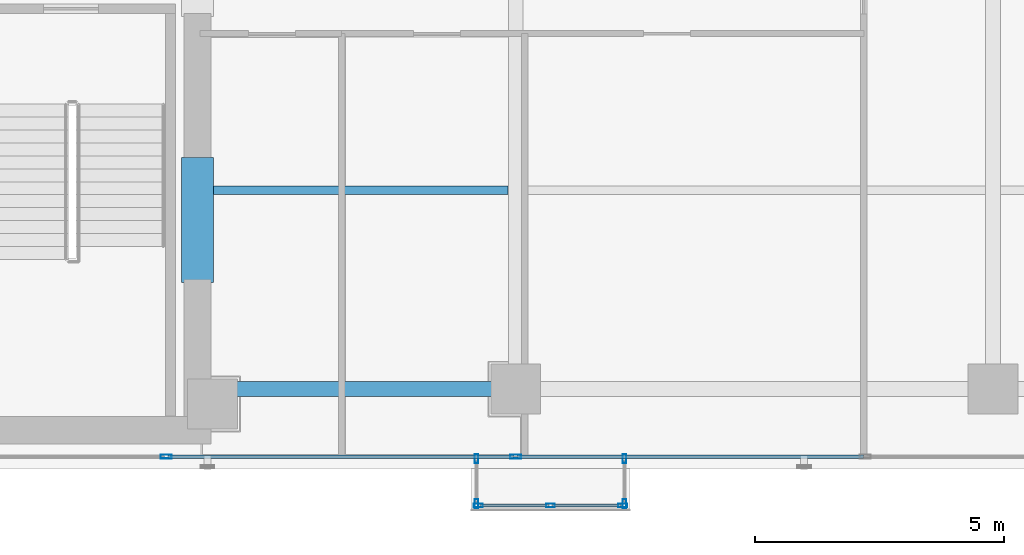
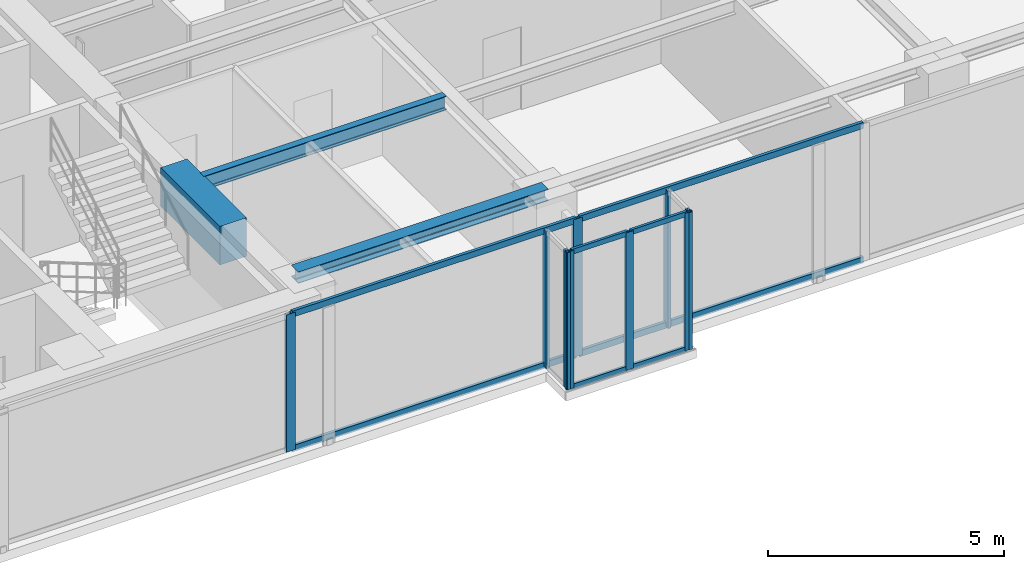
# One storey, part 4 of 23: 17 members, 3 beams, 4 elements without a shape of their own.
"""IFC4 building model written with IfcOpenShell, lengths in metres."""

from ifc_helpers import new_model, si_unit, direction, frame, origin, origin_with_axes, origin_2d, place, context, subcontext, project, spatial, rectangle, hollow_rectangle, i_section, extrude, source, transform, mapped, material, layer, layer_set, material_profile, profile_set, type_object, element, aggregate, save


model = new_model("IFC4")

# Units and contexts
model_context = context("Model", 3, precision=1e-05, world=origin(), true_north=direction((0.0, 1.0)))
body_context = subcontext(model_context, "Body", "Model", "MODEL_VIEW")
ifc_project = project(units=[si_unit("LENGTHUNIT", "METRE"), si_unit("AREAUNIT", "SQUARE_METRE"), si_unit("VOLUMEUNIT", "CUBIC_METRE"), si_unit("PLANEANGLEUNIT", "RADIAN"), si_unit("MASSUNIT", "GRAM", prefix="KILO")], contexts=[model_context])

# Site, building, storey
site_placement = place(None, origin())
site = spatial("IfcSite", under=ifc_project, at=site_placement, CompositionType="ELEMENT")
building_placement = place(site_placement, origin())
building = spatial("IfcBuilding", under=site, at=building_placement, Name="Kolvaren Waterfront Exchange", CompositionType="ELEMENT")
storey_placement = place(building_placement, frame((0.0, 0.0, 231.10009765625)))
storey = spatial("IfcBuildingStorey", under=building, at=storey_placement, Name="L59", CompositionType="ELEMENT", Elevation=231.10009765625)

# Beams
ifc_material_1 = material(Name="Steel S355", Category="steel")
ifc_material_profile_1 = material_profile(ifc_material_1, i_section(OverallWidth=0.300048828125, OverallDepth=0.300048828125, WebThickness=0.010986328125, FlangeThickness=0.01904296875, FilletRadius=0.027099609375, at=origin_2d()), Name="HEB300")
ifc_profile_set_1 = profile_set([ifc_material_profile_1], Name="Steel S355")
beam_type_1 = type_object("IfcBeamType", Name="STR-BM-HEB300", PredefinedType="SPANDREL", material=ifc_profile_set_1)
beam_1_placement = place(storey_placement, frame((21.074951171875, 5.199951171875, 3.409912109375), z_axis=(1.0, 0.0, 0.0), x_axis=(0.0, 1.0, 0.0)))
element("IfcBeam", 1, at=beam_1_placement, inside=storey, type_object=beam_type_1, Name="L59 east-arm spandrel S1", PredefinedType="SPANDREL", context=body_context, shape_type="SweptSolid", body=[
    extrude(i_section(OverallWidth=0.300048828125, OverallDepth=0.300048828125, WebThickness=0.010986328125, FlangeThickness=0.01904296875, FilletRadius=0.027099609375, at=origin_2d()), origin(), (0.0, 0.0, 1.0), 6.125),
])
ifc_material_profile_2 = material_profile(ifc_material_1, i_section(OverallWidth=0.169921875, OverallDepth=0.360107421875, WebThickness=0.008056640625, FlangeThickness=0.0126953125, FilletRadius=0.01806640625, at=origin_2d()), Name="IPE360")
ifc_profile_set_2 = profile_set([ifc_material_profile_2], Name="Steel S355")
beam_type_2 = type_object("IfcBeamType", Name="STR-BM-IPE360", PredefinedType="JOIST", material=ifc_profile_set_2)
beam_2_placement = place(storey_placement, frame((21.10009765625, 9.199951171875, 3.3798828125), z_axis=(1.0, 0.0, 0.0), x_axis=(0.0, 1.0, 0.0)))
element("IfcBeam", 2, at=beam_2_placement, inside=storey, type_object=beam_type_2, Name="L59 east-arm composite joist 1B", PredefinedType="JOIST", context=body_context, shape_type="SweptSolid", body=[
    extrude(i_section(OverallWidth=0.169921875, OverallDepth=0.360107421875, WebThickness=0.008056640625, FlangeThickness=0.0126953125, FilletRadius=0.01806640625, at=origin_2d()), origin(), (0.0, 0.0, 1.0), 5.947998046875),
])
ifc_material_2 = material(Name="Concrete C60/75", Category="concrete")
ifc_material_profile_3 = material_profile(ifc_material_2, rectangle(XDim=0.64990234375, YDim=1.0, at=origin_2d()), Name="RC-CB-1000x650")
ifc_profile_set_3 = profile_set([ifc_material_profile_3], Name="Concrete C60/75")
beam_type_3 = type_object("IfcBeamType", Name="STR-CB-1000", PredefinedType="SPANDREL", material=ifc_profile_set_3)
beam_3_placement = place(storey_placement, frame((20.800048828125, 7.340087890625, 3.059814453125), z_axis=(0.0, 1.0, 0.0), x_axis=(-1.0, 0.0, 0.0)))
element("IfcBeam", 3, at=beam_3_placement, inside=storey, type_object=beam_type_3, Name="L59 core coupling beam 1", PredefinedType="SPANDREL", context=body_context, shape_type="SweptSolid", body=[
    extrude(rectangle(XDim=0.64990234375, YDim=1.0, at=origin_2d()), origin(), (0.0, 0.0, 1.0), 2.52001953125),
])

# Curtain wall, members
ifc_material_3 = material(Name="Anodised bronze aluminium 6063-T6", Category="aluminium")
ifc_layer_1 = layer(ifc_material_3, 0.219970703125, Name="Anodised bronze aluminium 6063-T6")
ifc_layer_set_1 = layer_set([ifc_layer_1], Name="Anodised bronze aluminium 6063-T6")
curtain_wall_type_1 = type_object("IfcCurtainWallType", Name="ARC-CW-SYS3", PredefinedType="USERDEFINED", material=ifc_layer_set_1)
curtain_wall_1_placement = place(storey_placement, origin())
curtain_wall_1 = element("IfcCurtainWall", 4, at=curtain_wall_1_placement, inside=storey, type_object=curtain_wall_type_1, Name="L59 stick curtain wall CW3 (CW-L59-BOX)", ObjectType="STICK CURTAIN WALL", PredefinedType="USERDEFINED")
ifc_material_profile_4 = material_profile(ifc_material_3, hollow_rectangle(XDim=0.06494140625, YDim=0.1298828125, WallThickness=0.00390625, at=origin_2d()), Name="ALU-TRN-130x65x4")
ifc_profile_set_4 = profile_set([ifc_material_profile_4], Name="Anodised bronze aluminium 6063-T6")
member_type_1 = type_object("IfcMemberType", Name="ARC-CWT-130", PredefinedType="USERDEFINED", material=ifc_profile_set_4)
shared_shape_1 = source(origin_with_axes(), body_context, "Body", "SweptSolid", [
    extrude(hollow_rectangle(XDim=0.06494140625, YDim=0.1298828125, WallThickness=0.00390625, at=origin_2d()), origin(), (0.0, 0.0, 1.0), 1.37744140625),
])
member_1_placement = place(storey_placement, frame((26.485107421875, 2.860107421875, 0.032470703125), z_axis=(1.0, 0.0, 0.0), x_axis=(0.0, 1.0, 0.0)))
member_1 = element("IfcMember", 5, at=member_1_placement, type_object=member_type_1, Name="CW3 transom 1.1", ObjectType="TRANSOM", PredefinedType="USERDEFINED", context=body_context, shape_type="MappedRepresentation", body=[
    mapped(shared_shape_1, transform((0.0, 0.0, 0.0), x_axis=(1.0, 0.0, 0.0), y_axis=(0.0, 1.0, 0.0), z_axis=(0.0, 0.0, 1.0), scale=1.0)),
])
member_2_placement = place(storey_placement, frame((26.485107421875, 2.860107421875, 3.52734375), z_axis=(1.0, 0.0, 0.0), x_axis=(0.0, 1.0, 0.0)))
member_2 = element("IfcMember", 6, at=member_2_placement, type_object=member_type_1, Name="CW3 transom 1.2", ObjectType="TRANSOM", PredefinedType="USERDEFINED", context=body_context, shape_type="MappedRepresentation", body=[
    mapped(shared_shape_1, transform((0.0, 0.0, 0.0), x_axis=(1.0, 0.0, 0.0), y_axis=(0.0, 1.0, 0.0), z_axis=(0.0, 0.0, 1.0), scale=1.0)),
])
member_3_placement = place(storey_placement, frame((27.9375, 2.860107421875, 0.032470703125), z_axis=(1.0, 0.0, 0.0), x_axis=(0.0, 1.0, 0.0)))
member_3 = element("IfcMember", 7, at=member_3_placement, type_object=member_type_1, Name="CW3 transom 2.1", ObjectType="TRANSOM", PredefinedType="USERDEFINED", context=body_context, shape_type="MappedRepresentation", body=[
    mapped(shared_shape_1, transform((0.0, 0.0, 0.0), x_axis=(1.0, 0.0, 0.0), y_axis=(0.0, 1.0, 0.0), z_axis=(0.0, 0.0, 1.0), scale=1.0)),
])
member_4_placement = place(storey_placement, frame((27.9375, 2.860107421875, 3.52734375), z_axis=(1.0, 0.0, 0.0), x_axis=(0.0, 1.0, 0.0)))
member_4 = element("IfcMember", 8, at=member_4_placement, type_object=member_type_1, Name="CW3 transom 2.2", ObjectType="TRANSOM", PredefinedType="USERDEFINED", context=body_context, shape_type="MappedRepresentation", body=[
    mapped(shared_shape_1, transform((0.0, 0.0, 0.0), x_axis=(1.0, 0.0, 0.0), y_axis=(0.0, 1.0, 0.0), z_axis=(0.0, 0.0, 1.0), scale=1.0)),
])

curtain_wall_2_placement = place(storey_placement, origin())
curtain_wall_2 = element("IfcCurtainWall", 9, at=curtain_wall_2_placement, inside=storey, type_object=curtain_wall_type_1, Name="L59 stick curtain wall CW3 (CW-L59-BOX-W)", ObjectType="STICK CURTAIN WALL", PredefinedType="USERDEFINED")
ifc_material_profile_5 = material_profile(ifc_material_3, hollow_rectangle(XDim=0.074951171875, YDim=0.179931640625, WallThickness=0.00439453125, at=origin_2d()), Name="ALU-MUL-180x75x4.5")
ifc_profile_set_5 = profile_set([ifc_material_profile_5], Name="Anodised bronze aluminium 6063-T6")
member_type_2 = type_object("IfcMemberType", Name="ARC-CWM-180", PredefinedType="MULLION", material=ifc_profile_set_5)
shared_shape_2 = source(origin_with_axes(), body_context, "Body", "SweptSolid", [
    extrude(hollow_rectangle(XDim=0.074951171875, YDim=0.179931640625, WallThickness=0.00439453125, at=origin_2d()), origin(), (0.0, 0.0, 1.0), 3.559814453125),
])
member_5_placement = place(storey_placement, frame((26.409912109375, 3.802490234375, 0.0), z_axis=(0.0, 0.0, 1.0), x_axis=(1.0, 0.0, 0.0)))
member_5 = element("IfcMember", 10, at=member_5_placement, type_object=member_type_2, Name="CW3 mullion 1", PredefinedType="MULLION", context=body_context, shape_type="MappedRepresentation", body=[
    mapped(shared_shape_2, transform((0.0, 0.0, 0.0), x_axis=(1.0, 0.0, 0.0), y_axis=(0.0, 1.0, 0.0), z_axis=(0.0, 0.0, 1.0), scale=1.0)),
])
member_6_placement = place(storey_placement, frame((26.409912109375, 2.8974609375, 0.0), z_axis=(0.0, 0.0, 1.0), x_axis=(1.0, 0.0, 0.0)))
member_6 = element("IfcMember", 11, at=member_6_placement, type_object=member_type_2, Name="CW3 mullion 2", PredefinedType="MULLION", context=body_context, shape_type="MappedRepresentation", body=[
    mapped(shared_shape_2, transform((0.0, 0.0, 0.0), x_axis=(1.0, 0.0, 0.0), y_axis=(0.0, 1.0, 0.0), z_axis=(0.0, 0.0, 1.0), scale=1.0)),
])
aggregate(curtain_wall_2, [member_5, member_6])

# Member
member_7_placement = place(storey_placement, frame((26.447509765625, 2.860107421875, 0.0), z_axis=(0.0, 0.0, 1.0), x_axis=(0.0, 1.0, 0.0)))
member_7 = element("IfcMember", 12, at=member_7_placement, type_object=member_type_2, Name="CW3 mullion 1", PredefinedType="MULLION", context=body_context, shape_type="MappedRepresentation", body=[
    mapped(shared_shape_2, transform((0.0, 0.0, 0.0), x_axis=(1.0, 0.0, 0.0), y_axis=(0.0, 1.0, 0.0), z_axis=(0.0, 0.0, 1.0), scale=1.0)),
])

member_8_placement = place(storey_placement, frame((27.89990234375, 2.860107421875, 0.0), z_axis=(0.0, 0.0, 1.0), x_axis=(0.0, 1.0, 0.0)))
member_8 = element("IfcMember", 13, at=member_8_placement, type_object=member_type_2, Name="CW3 mullion 2", PredefinedType="MULLION", context=body_context, shape_type="MappedRepresentation", body=[
    mapped(shared_shape_2, transform((0.0, 0.0, 0.0), x_axis=(1.0, 0.0, 0.0), y_axis=(0.0, 1.0, 0.0), z_axis=(0.0, 0.0, 1.0), scale=1.0)),
])

member_9_placement = place(storey_placement, frame((29.3525390625, 2.860107421875, 0.0), z_axis=(0.0, 0.0, 1.0), x_axis=(0.0, 1.0, 0.0)))
member_9 = element("IfcMember", 14, at=member_9_placement, type_object=member_type_2, Name="CW3 mullion 3", PredefinedType="MULLION", context=body_context, shape_type="MappedRepresentation", body=[
    mapped(shared_shape_2, transform((0.0, 0.0, 0.0), x_axis=(1.0, 0.0, 0.0), y_axis=(0.0, 1.0, 0.0), z_axis=(0.0, 0.0, 1.0), scale=1.0)),
])

aggregate(curtain_wall_1, [member_7, member_8, member_9, member_1, member_2, member_3, member_4])

# Curtain wall, members
curtain_wall_3_placement = place(storey_placement, origin())
curtain_wall_3 = element("IfcCurtainWall", 15, at=curtain_wall_3_placement, inside=storey, type_object=curtain_wall_type_1, Name="L59 stick curtain wall CW3 (CW-L59-BOX-E)", ObjectType="STICK CURTAIN WALL", PredefinedType="USERDEFINED")
member_10_placement = place(storey_placement, frame((29.389892578125, 2.8974609375, 0.0), z_axis=(0.0, 0.0, 1.0), x_axis=(-1.0, 0.0, 0.0)))
member_10 = element("IfcMember", 16, at=member_10_placement, type_object=member_type_2, Name="CW3 mullion 1", PredefinedType="MULLION", context=body_context, shape_type="MappedRepresentation", body=[
    mapped(shared_shape_2, transform((0.0, 0.0, 0.0), x_axis=(1.0, 0.0, 0.0), y_axis=(0.0, 1.0, 0.0), z_axis=(0.0, 0.0, 1.0), scale=1.0)),
])
member_11_placement = place(storey_placement, frame((29.389892578125, 3.802490234375, 0.0), z_axis=(0.0, 0.0, 1.0), x_axis=(-1.0, 0.0, 0.0)))
member_11 = element("IfcMember", 17, at=member_11_placement, type_object=member_type_2, Name="CW3 mullion 2", PredefinedType="MULLION", context=body_context, shape_type="MappedRepresentation", body=[
    mapped(shared_shape_2, transform((0.0, 0.0, 0.0), x_axis=(1.0, 0.0, 0.0), y_axis=(0.0, 1.0, 0.0), z_axis=(0.0, 0.0, 1.0), scale=1.0)),
])
aggregate(curtain_wall_3, [member_10, member_11])

ifc_layer_2 = layer(ifc_material_3, 0.219970703125, Name="Anodised bronze aluminium 6063-T6")
ifc_layer_set_2 = layer_set([ifc_layer_2], Name="Anodised bronze aluminium 6063-T6")
curtain_wall_type_2 = type_object("IfcCurtainWallType", Name="ARC-CW-SYS1", PredefinedType="USERDEFINED", material=ifc_layer_set_2)
curtain_wall_4_placement = place(storey_placement, origin())
curtain_wall_4 = element("IfcCurtainWall", 18, at=curtain_wall_4_placement, inside=storey, type_object=curtain_wall_type_2, Name="L59 stick curtain wall CW1 (CW-L59-S)", ObjectType="STICK CURTAIN WALL", PredefinedType="USERDEFINED")
ifc_material_4 = material(Name="Anodised aluminium 6063-T6", Category="aluminium")
ifc_material_profile_6 = material_profile(ifc_material_4, hollow_rectangle(XDim=0.080078125, YDim=0.219970703125, WallThickness=0.0048828125, at=origin_2d()), Name="ALU-MUL-220x80x5")
ifc_profile_set_6 = profile_set([ifc_material_profile_6], Name="Anodised aluminium 6063-T6")
member_type_3 = type_object("IfcMemberType", Name="ARC-CWM-220", PredefinedType="MULLION", material=ifc_profile_set_6)
shared_shape_3 = source(origin_with_axes(), body_context, "Body", "SweptSolid", [
    extrude(hollow_rectangle(XDim=0.080078125, YDim=0.219970703125, WallThickness=0.0048828125, at=origin_2d()), origin(), (0.0, 0.0, 1.0), 3.559814453125),
])
member_12_placement = place(storey_placement, frame((20.166748046875, 3.840087890625, 0.0), z_axis=(0.0, 0.0, 1.0), x_axis=(0.0, 1.0, 0.0)))
member_12 = element("IfcMember", 19, at=member_12_placement, type_object=member_type_3, Name="CW1 mullion 3", PredefinedType="MULLION", context=body_context, shape_type="MappedRepresentation", body=[
    mapped(shared_shape_3, transform((0.0, 0.0, 0.0), x_axis=(1.0, 0.0, 0.0), y_axis=(0.0, 1.0, 0.0), z_axis=(0.0, 0.0, 1.0), scale=1.0)),
])
member_13_placement = place(storey_placement, frame((27.199951171875, 3.840087890625, 0.0), z_axis=(0.0, 0.0, 1.0), x_axis=(0.0, 1.0, 0.0)))
member_13 = element("IfcMember", 20, at=member_13_placement, type_object=member_type_3, Name="CW1 mullion 4", PredefinedType="MULLION", context=body_context, shape_type="MappedRepresentation", body=[
    mapped(shared_shape_3, transform((0.0, 0.0, 0.0), x_axis=(1.0, 0.0, 0.0), y_axis=(0.0, 1.0, 0.0), z_axis=(0.0, 0.0, 1.0), scale=1.0)),
])
ifc_material_profile_7 = material_profile(ifc_material_4, hollow_rectangle(XDim=0.074951171875, YDim=0.159912109375, WallThickness=0.00439453125, at=origin_2d()), Name="ALU-TRN-160x75x4.5")
ifc_profile_set_7 = profile_set([ifc_material_profile_7], Name="Anodised aluminium 6063-T6")
member_type_4 = type_object("IfcMemberType", Name="ARC-CWT-160", PredefinedType="USERDEFINED", material=ifc_profile_set_7)
shared_shape_4 = source(origin_with_axes(), body_context, "Body", "SweptSolid", [
    extrude(hollow_rectangle(XDim=0.074951171875, YDim=0.159912109375, WallThickness=0.00439453125, at=origin_2d()), origin(), (0.0, 0.0, 1.0), 6.953369140625),
])
member_14_placement = place(storey_placement, frame((27.239990234375, 3.840087890625, 0.037353515625), z_axis=(1.0, 0.0, 0.0), x_axis=(0.0, 1.0, 0.0)))
member_14 = element("IfcMember", 21, at=member_14_placement, type_object=member_type_4, Name="CW1 transom 4.1", ObjectType="TRANSOM", PredefinedType="USERDEFINED", context=body_context, shape_type="MappedRepresentation", body=[
    mapped(shared_shape_4, transform((0.0, 0.0, 0.0), x_axis=(1.0, 0.0, 0.0), y_axis=(0.0, 1.0, 0.0), z_axis=(0.0, 0.0, 1.0), scale=1.0)),
])
member_15_placement = place(storey_placement, frame((27.239990234375, 3.840087890625, 3.5224609375), z_axis=(1.0, 0.0, 0.0), x_axis=(0.0, 1.0, 0.0)))
member_15 = element("IfcMember", 22, at=member_15_placement, type_object=member_type_4, Name="CW1 transom 4.2", ObjectType="TRANSOM", PredefinedType="USERDEFINED", context=body_context, shape_type="MappedRepresentation", body=[
    mapped(shared_shape_4, transform((0.0, 0.0, 0.0), x_axis=(1.0, 0.0, 0.0), y_axis=(0.0, 1.0, 0.0), z_axis=(0.0, 0.0, 1.0), scale=1.0)),
])
shared_shape_5 = source(origin_with_axes(), body_context, "Body", "SweptSolid", [
    extrude(hollow_rectangle(XDim=0.074951171875, YDim=0.159912109375, WallThickness=0.00439453125, at=origin_2d()), origin(), (0.0, 0.0, 1.0), 6.953125),
])
member_16_placement = place(storey_placement, frame((20.206787109375, 3.840087890625, 0.037353515625), z_axis=(1.0, 0.0, 0.0), x_axis=(0.0, 1.0, 0.0)))
member_16 = element("IfcMember", 23, at=member_16_placement, type_object=member_type_4, Name="CW1 transom 3.1", ObjectType="TRANSOM", PredefinedType="USERDEFINED", context=body_context, shape_type="MappedRepresentation", body=[
    mapped(shared_shape_5, transform((0.0, 0.0, 0.0), x_axis=(1.0, 0.0, 0.0), y_axis=(0.0, 1.0, 0.0), z_axis=(0.0, 0.0, 1.0), scale=1.0)),
])
member_17_placement = place(storey_placement, frame((20.206787109375, 3.840087890625, 3.5224609375), z_axis=(1.0, 0.0, 0.0), x_axis=(0.0, 1.0, 0.0)))
member_17 = element("IfcMember", 24, at=member_17_placement, type_object=member_type_4, Name="CW1 transom 3.2", ObjectType="TRANSOM", PredefinedType="USERDEFINED", context=body_context, shape_type="MappedRepresentation", body=[
    mapped(shared_shape_5, transform((0.0, 0.0, 0.0), x_axis=(1.0, 0.0, 0.0), y_axis=(0.0, 1.0, 0.0), z_axis=(0.0, 0.0, 1.0), scale=1.0)),
])
aggregate(curtain_wall_4, [member_12, member_13, member_16, member_17, member_14, member_15])

save(model, "model.ifc")
